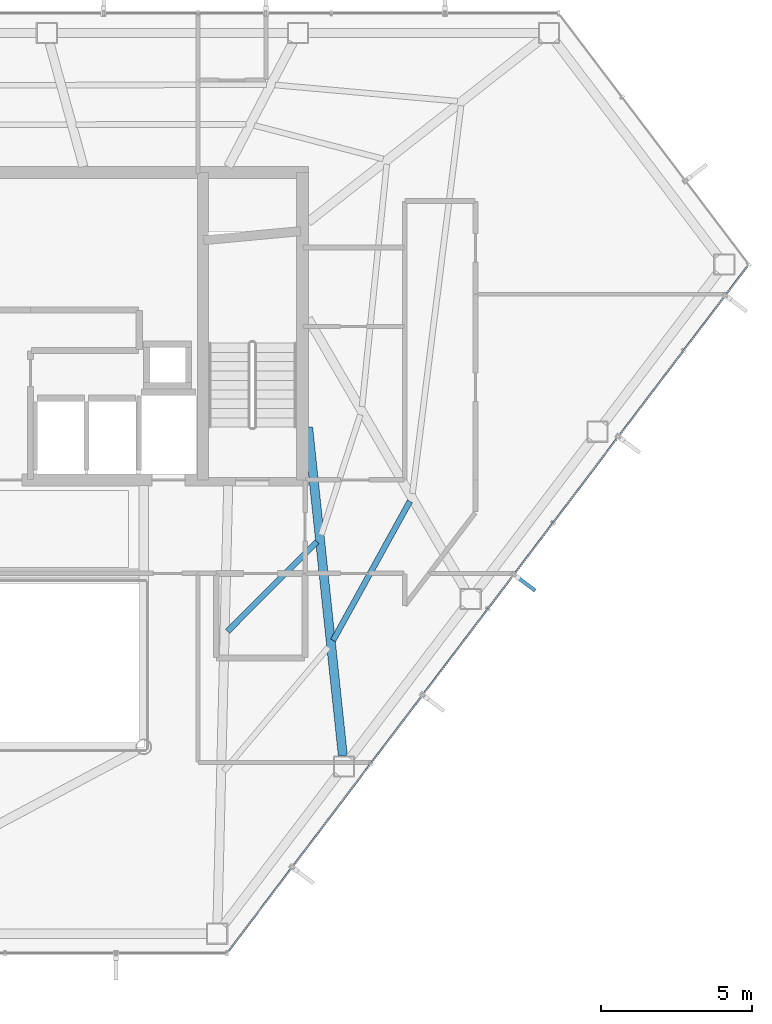
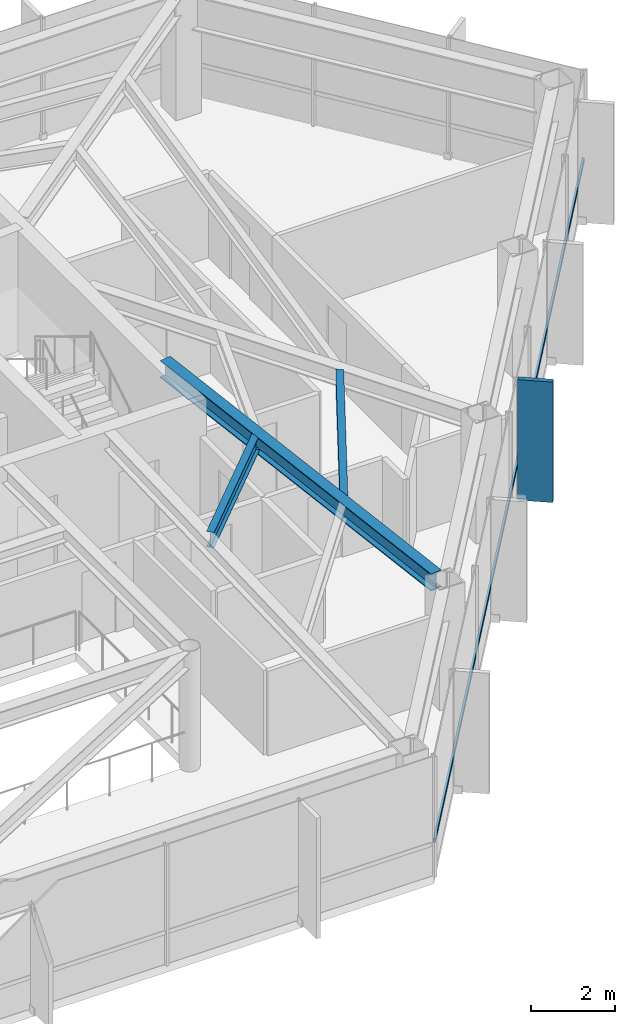
# One storey, part 17 of 27: 3 beams, 2 members, 1 element without a shape of its own.
"""IFC4 building model written with IfcOpenShell, lengths in metres."""

from ifc_helpers import new_model, si_unit, direction, frame, origin, origin_2d, place, context, subcontext, project, spatial, rectangle, hollow_rectangle, i_section, extrude, material, layer, layer_set, material_profile, profile_set, type_object, element, aggregate, save


model = new_model("IFC4")

# Units and contexts
model_context = context("Model", 3, precision=1e-05, world=origin(), true_north=direction((0.0, 1.0)))
body_context = subcontext(model_context, "Body", "Model", "MODEL_VIEW")
ifc_project = project(units=[si_unit("LENGTHUNIT", "METRE"), si_unit("AREAUNIT", "SQUARE_METRE"), si_unit("VOLUMEUNIT", "CUBIC_METRE"), si_unit("PLANEANGLEUNIT", "RADIAN"), si_unit("MASSUNIT", "GRAM", prefix="KILO")], contexts=[model_context])

# Site, building, storey
site_placement = place(None, origin())
site = spatial("IfcSite", under=ifc_project, at=site_placement, CompositionType="ELEMENT")
building_placement = place(site_placement, origin())
building = spatial("IfcBuilding", under=site, at=building_placement, Name="Zarrinselat Tower", CompositionType="ELEMENT")
storey_placement = place(building_placement, frame((0.0, 0.0, 179.52001953125)))
storey = spatial("IfcBuildingStorey", under=building, at=storey_placement, Name="L44", CompositionType="ELEMENT", Elevation=179.52001953125)

# Beams
ifc_material_1 = material(Name="Steel S355J2", Category="steel")
ifc_material_profile_1 = material_profile(ifc_material_1, i_section(OverallWidth=0.300048828125, OverallDepth=0.5, WebThickness=0.014404296875, FlangeThickness=0.028076171875, at=origin_2d()), Name="HEB 500")
ifc_profile_set_1 = profile_set([ifc_material_profile_1], Name="Steel S355J2")
beam_type_1 = type_object("IfcBeamType", Name="BM-HEB500", PredefinedType="BEAM", material=ifc_profile_set_1)
beam_1_placement = place(storey_placement, frame((48.449951171875, 35.0, 3.25), z_axis=(0.10512552653, -0.994458960275, 0.0), x_axis=(0.994458960275, 0.10512552653, 0.0)))
element("IfcBeam", 1, at=beam_1_placement, inside=storey, type_object=beam_type_1, Name="L44 Radial Primary Girder RG12", PredefinedType="BEAM", context=body_context, shape_type="SweptSolid", body=[
    extrude(i_section(OverallWidth=0.300048828125, OverallDepth=0.5, WebThickness=0.014404296875, FlangeThickness=0.028076171875, at=origin_2d()), origin(), (0.0, 0.0, 1.0), 10.95703125),
])
ifc_material_2 = material(Name="Steel S355J2", Category="steel")
ifc_material_profile_2 = material_profile(ifc_material_2, i_section(OverallWidth=0.18994140625, OverallDepth=0.449951171875, WebThickness=0.009521484375, FlangeThickness=0.0146484375, at=origin_2d()), Name="IPE 450")
ifc_profile_set_2 = profile_set([ifc_material_profile_2], Name="Steel S355J2")
beam_type_2 = type_object("IfcBeamType", Name="BM-IPE450", PredefinedType="JOIST", material=ifc_profile_set_2)
beam_2_placement = place(storey_placement, frame((45.77783203125, 28.22802734375, 3.27490234375), z_axis=(0.706699310823, 0.70751401688, 0.0), x_axis=(-0.70751401688, 0.706699310823, 0.0)))
element("IfcBeam", 2, at=beam_2_placement, inside=storey, type_object=beam_type_2, Name="L44 Composite Floor Joist 3-2", PredefinedType="JOIST", context=body_context, shape_type="SweptSolid", body=[
    extrude(i_section(OverallWidth=0.18994140625, OverallDepth=0.449951171875, WebThickness=0.009521484375, FlangeThickness=0.0146484375, at=origin_2d()), origin(), (0.0, 0.0, 1.0), 4.1953125),
])
beam_3_placement = place(storey_placement, frame((49.27783203125, 27.930908203125, 3.27490234375), z_axis=(0.483453446077, 0.875370073441, 0.0), x_axis=(-0.875370073441, 0.483453446077, 0.0)))
element("IfcBeam", 3, at=beam_3_placement, inside=storey, type_object=beam_type_2, Name="L44 Composite Floor Joist 4-1", PredefinedType="JOIST", context=body_context, shape_type="SweptSolid", body=[
    extrude(i_section(OverallWidth=0.18994140625, OverallDepth=0.449951171875, WebThickness=0.009521484375, FlangeThickness=0.0146484375, at=origin_2d()), origin(), (0.0, 0.0, 1.0), 5.267578125),
])

# Curtain wall, members
ifc_material_3 = material(Name="Extruded Aluminium Alloy EN AW-6063 T6", Category="aluminium")
ifc_layer = layer(ifc_material_3, 0.175048828125)
ifc_layer_set = layer_set([ifc_layer], Name="Extruded Aluminium Alloy EN AW-6063 T6")
curtain_wall_type = type_object("IfcCurtainWallType", Name="CWS-HTL", PredefinedType="NOTDEFINED", material=ifc_layer_set)
curtain_wall_placement = place(storey_placement, origin())
curtain_wall = element("IfcCurtainWall", 4, at=curtain_wall_placement, inside=storey, type_object=curtain_wall_type, Name="L44 Unitised Curtain Wall CW-L44-E05", PredefinedType="NOTDEFINED")
ifc_material_4 = material(Name="Extruded Aluminium Alloy EN AW-6063 T6", Category="aluminium")
ifc_material_profile_3 = material_profile(ifc_material_4, hollow_rectangle(XDim=0.06005859375, YDim=0.1201171875, WallThickness=0.00390625, at=origin_2d()), Name="RHS 120x60x4")
ifc_profile_set_3 = profile_set([ifc_material_profile_3], Name="Extruded Aluminium Alloy EN AW-6063 T6")
member_type_1 = type_object("IfcMemberType", Name="MEM-CW-TRN2", PredefinedType="USERDEFINED", material=ifc_profile_set_3)
member_1_placement = place(storey_placement, frame((45.812744140625, 17.626953125, 0.949951171875), z_axis=(0.603856862741, 0.797092773346, 0.0), x_axis=(-0.797092773346, 0.603856862741, 0.0)))
member_1 = element("IfcMember", 5, at=member_1_placement, type_object=member_type_1, Name="CW-L44-E05 Transom 1", ObjectType="TRANSOM", PredefinedType="USERDEFINED", context=body_context, shape_type="SweptSolid", body=[
    extrude(hollow_rectangle(XDim=0.06005859375, YDim=0.1201171875, WallThickness=0.00390625, at=origin_2d()), origin(), (0.0, 0.0, 1.0), 28.47900390625),
])
ifc_material_5 = material(Name="Honed Cream Travertine Stone", Category="masonry")
ifc_material_profile_4 = material_profile(ifc_material_5, rectangle(XDim=0.1201171875, YDim=0.85009765625, at=origin_2d()), Name="FIN 850x120")
ifc_profile_set_4 = profile_set([ifc_material_profile_4], Name="Honed Cream Travertine Stone")
member_type_2 = type_object("IfcMemberType", Name="MEM-STONE-FIN", PredefinedType="USERDEFINED", material=ifc_profile_set_4)
member_2_placement = place(storey_placement, frame((55.63916015625, 29.8359375, 0.0), z_axis=(0.0, 0.0, 1.0), x_axis=(-0.603859165965, -0.797091028478, 0.0)))
member_2 = element("IfcMember", 6, at=member_2_placement, type_object=member_type_2, Name="L44 Stone Shading Fin CW-L44-E05-05", ObjectType="FIN", PredefinedType="USERDEFINED", context=body_context, shape_type="SweptSolid", body=[
    extrude(rectangle(XDim=0.1201171875, YDim=0.85009765625, at=origin_2d()), origin(), (0.0, 0.0, 1.0), 3.5),
])
aggregate(curtain_wall, [member_2, member_1])

save(model, "model.ifc")
